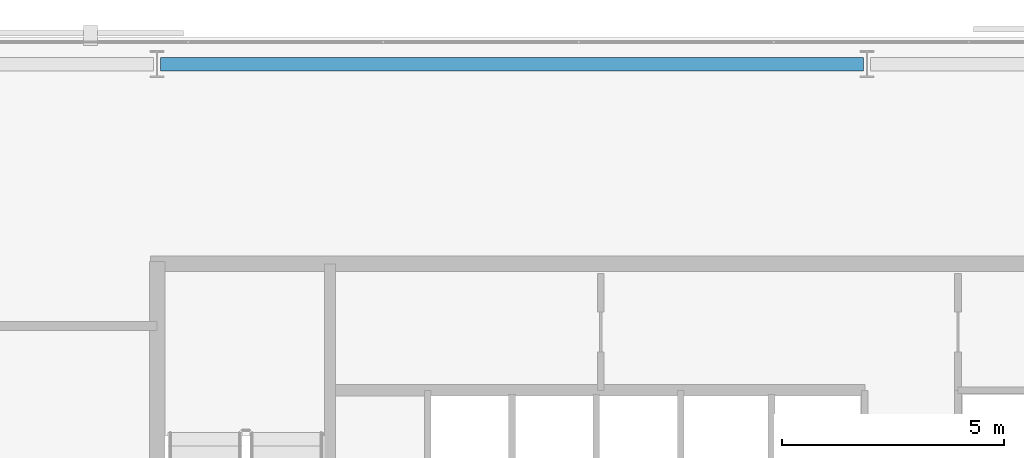
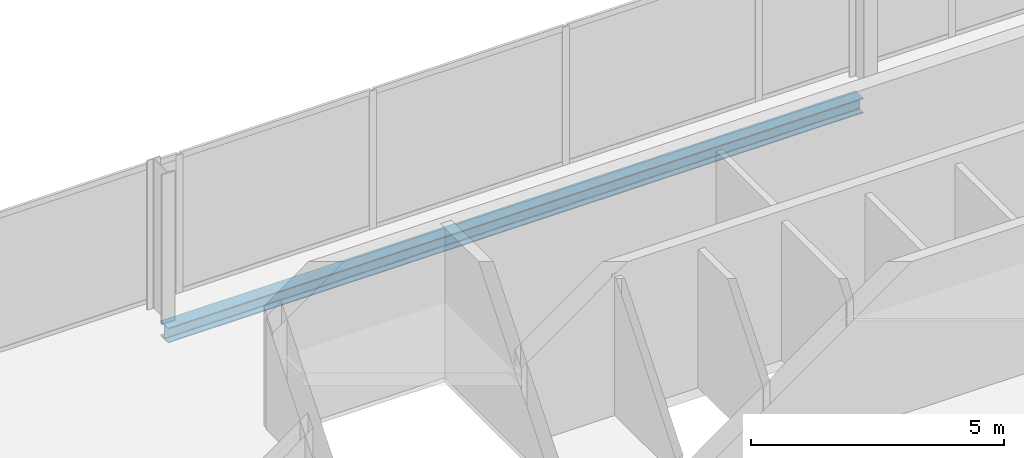
# One storey, part 21 of 32: 1 beam.
"""IFC4 building model written with IfcOpenShell, lengths in metres."""

from ifc_helpers import new_model, si_unit, direction, frame, origin, origin_2d, place, context, subcontext, project, spatial, i_section, extrude, material, material_profile, profile_set, type_object, element, save


model = new_model("IFC4")

# Units and contexts
model_context = context("Model", 3, precision=1e-05, world=origin(), true_north=direction((0.0, 1.0)))
body_context = subcontext(model_context, "Body", "Model", "MODEL_VIEW")
ifc_project = project(units=[si_unit("LENGTHUNIT", "METRE"), si_unit("AREAUNIT", "SQUARE_METRE"), si_unit("VOLUMEUNIT", "CUBIC_METRE"), si_unit("PLANEANGLEUNIT", "RADIAN"), si_unit("MASSUNIT", "GRAM", prefix="KILO")], contexts=[model_context])

# Site, building, storey
site_placement = place(None, origin())
site = spatial("IfcSite", under=ifc_project, at=site_placement, CompositionType="ELEMENT")
building_placement = place(site_placement, origin())
building = spatial("IfcBuilding", under=site, at=building_placement, Name="Catumbela Crestline Tower", CompositionType="ELEMENT")
storey_placement = place(building_placement, frame((0.0, 0.0, 129.6)))
storey = spatial("IfcBuildingStorey", under=building, at=storey_placement, Name="L33", CompositionType="ELEMENT", Elevation=129.6)

# Beam
ifc_material = material(Name="Structural steel S355J2", Category="steel")
ifc_material_profile = material_profile(ifc_material, i_section(OverallWidth=0.3, OverallDepth=0.36, WebThickness=0.0125, FlangeThickness=0.0225, FilletRadius=0.027, at=origin_2d()), Name="HEB 360")
ifc_profile_set = profile_set([ifc_material_profile], Name="Structural steel S355J2")
beam_type = type_object("IfcBeamType", Name="BS-HEB360", PredefinedType="SPANDREL", material=ifc_profile_set)
beam_placement = place(storey_placement, frame((16.08, 47.4, -0.44), z_axis=(1.0, 0.0, 0.0), x_axis=(0.0, 1.0, 0.0)))
element("IfcBeam", 1, at=beam_placement, inside=storey, type_object=beam_type, Name="L33 Spandrel SP-L33-NF19", PredefinedType="SPANDREL", context=body_context, shape_type="SweptSolid", body=[
    extrude(i_section(OverallWidth=0.3, OverallDepth=0.36, WebThickness=0.0125, FlangeThickness=0.0225, FilletRadius=0.027, at=origin_2d()), origin(), (0.0, 0.0, 1.0), 15.84),
])

save(model, "model.ifc")
